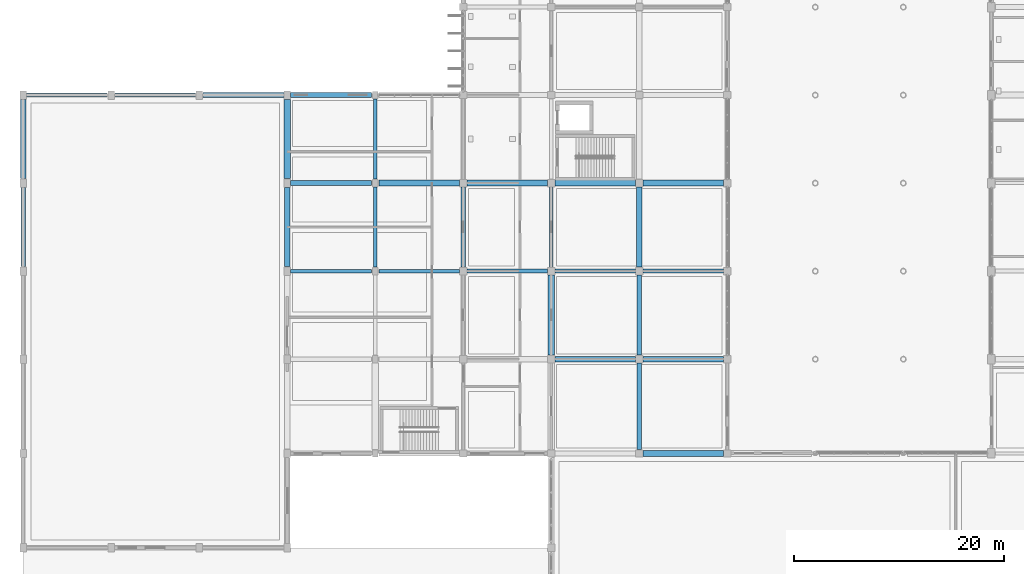
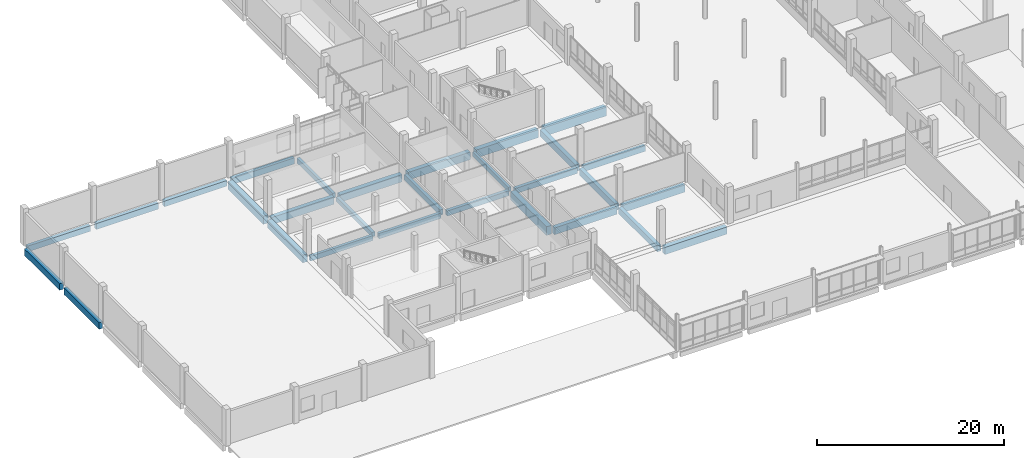
# One storey, part 14 of 95: 29 beams.
"""IFC4 building model written with IfcOpenShell, lengths in metres."""

from ifc_helpers import new_model, si_unit, direction, frame, origin, origin_2d, place, context, subcontext, project, spatial, rectangle, extrude, material, material_profile, profile_set, type_object, element, save


model = new_model("IFC4")

# Units and contexts
model_context = context("Model", 3, precision=1e-05, world=origin(), true_north=direction((0.0, 1.0)))
body_context = subcontext(model_context, "Body", "Model", "MODEL_VIEW")
ifc_project = project(units=[si_unit("LENGTHUNIT", "METRE"), si_unit("AREAUNIT", "SQUARE_METRE"), si_unit("VOLUMEUNIT", "CUBIC_METRE"), si_unit("PLANEANGLEUNIT", "RADIAN"), si_unit("MASSUNIT", "GRAM", prefix="KILO")], contexts=[model_context])

# Site, building, storey
site_placement = place(None, origin())
site = spatial("IfcSite", under=ifc_project, at=site_placement, CompositionType="ELEMENT")
building_placement = place(site_placement, origin())
building = spatial("IfcBuilding", under=site, at=building_placement, Name="Vireocrest Preparatory School", CompositionType="ELEMENT")
storey_placement = place(building_placement, origin())
storey = spatial("IfcBuildingStorey", under=building, at=storey_placement, Name="L00", CompositionType="ELEMENT", Elevation=0.0)

# Beams
ifc_material = material(Name="Concrete 40 MPa", Category="concrete")
ifc_material_profile_1 = material_profile(ifc_material, rectangle(XDim=0.5, YDim=0.949951171875, at=origin_2d()), Name="RC 500x950")
ifc_profile_set_1 = profile_set([ifc_material_profile_1], Name="Concrete 40 MPa")
beam_type_1 = type_object("IfcBeamType", Name="RC Basement Ceiling Girder 500x950", PredefinedType="BEAM", material=ifc_profile_set_1)
beam_1_placement = place(storey_placement, frame((59.175048828125, 27.0, -0.824951171875), z_axis=(1.0, 0.0, 0.0), x_axis=(0.0, 1.0, 0.0)))
element("IfcBeam", 1, at=beam_1_placement, inside=storey, type_object=beam_type_1, Name="Primary Girder B16 L00-0032", PredefinedType="BEAM", context=body_context, shape_type="SweptSolid", body=[
    extrude(rectangle(XDim=0.5, YDim=0.949951171875, at=origin_2d()), origin(), (0.0, 0.0, 1.0), 7.64990234375),
])
beam_2_placement = place(storey_placement, frame((25.52490234375, 43.800048828125, -0.824951171875), z_axis=(1.0, 0.0, 0.0), x_axis=(0.0, 1.0, 0.0)))
element("IfcBeam", 2, at=beam_2_placement, inside=storey, type_object=beam_type_1, Name="Primary Girder B16 L00-0050", PredefinedType="BEAM", context=body_context, shape_type="SweptSolid", body=[
    extrude(rectangle(XDim=0.5, YDim=0.949951171875, at=origin_2d()), origin(), (0.0, 0.0, 1.0), 7.7001953125),
])
ifc_material_profile_2 = material_profile(ifc_material, rectangle(XDim=0.300048828125, YDim=0.60009765625, at=origin_2d()), Name="RC 300x600")
ifc_profile_set_2 = profile_set([ifc_material_profile_2], Name="Concrete 40 MPa")
beam_type_2 = type_object("IfcBeamType", Name="RC Classroom Beam 300x600", PredefinedType="BEAM", material=ifc_profile_set_2)
beam_3_placement = place(storey_placement, frame((50.39990234375, 35.77490234375, -0.64990234375), z_axis=(0.0, 1.0, 0.0), x_axis=(-1.0, 0.0, 0.0)))
element("IfcBeam", 3, at=beam_3_placement, inside=storey, type_object=beam_type_2, Name="Primary Girder B03 L00-0158", PredefinedType="BEAM", context=body_context, shape_type="SweptSolid", body=[
    extrude(rectangle(XDim=0.300048828125, YDim=0.60009765625, at=origin_2d()), origin(), (0.0, 0.0, 1.0), 7.650146484375),
])
ifc_material_profile_3 = material_profile(ifc_material, rectangle(XDim=0.35009765625, YDim=0.60009765625, at=origin_2d()), Name="RC 350x600")
ifc_profile_set_3 = profile_set([ifc_material_profile_3], Name="Concrete 40 MPa")
beam_type_3 = type_object("IfcBeamType", Name="RC Classroom Girder 350x600", PredefinedType="BEAM", material=ifc_profile_set_3)
beam_4_placement = place(storey_placement, frame((33.60009765625, 35.77490234375, -0.64990234375), z_axis=(0.0, 1.0, 0.0), x_axis=(-1.0, 0.0, 0.0)))
element("IfcBeam", 4, at=beam_4_placement, inside=storey, type_object=beam_type_3, Name="Primary Girder B04 L00-0141", PredefinedType="BEAM", context=body_context, shape_type="SweptSolid", body=[
    extrude(rectangle(XDim=0.35009765625, YDim=0.60009765625, at=origin_2d()), origin(), (0.0, 0.0, 1.0), 7.650146484375),
])
ifc_material_profile_4 = material_profile(ifc_material, rectangle(XDim=0.35009765625, YDim=0.64990234375, at=origin_2d()), Name="RC 350x650")
ifc_profile_set_4 = profile_set([ifc_material_profile_4], Name="Concrete 40 MPa")
beam_type_4 = type_object("IfcBeamType", Name="RC Classroom Girder 350x650", PredefinedType="BEAM", material=ifc_profile_set_4)
beam_5_placement = place(storey_placement, frame((25.52490234375, 35.39990234375, -0.675048828125), z_axis=(1.0, 0.0, 0.0), x_axis=(0.0, 1.0, 0.0)))
element("IfcBeam", 5, at=beam_5_placement, inside=storey, type_object=beam_type_4, Name="Primary Girder B05 L00-0039", PredefinedType="BEAM", context=body_context, shape_type="SweptSolid", body=[
    extrude(rectangle(XDim=0.35009765625, YDim=0.64990234375, at=origin_2d()), origin(), (0.0, 0.0, 1.0), 7.7001953125),
])
beam_6_placement = place(storey_placement, frame((33.60009765625, 44.175048828125, -0.675048828125), z_axis=(0.0, 1.0, 0.0), x_axis=(-1.0, 0.0, 0.0)))
element("IfcBeam", 6, at=beam_6_placement, inside=storey, type_object=beam_type_4, Name="Primary Girder B05 L00-0142", PredefinedType="BEAM", context=body_context, shape_type="SweptSolid", body=[
    extrude(rectangle(XDim=0.35009765625, YDim=0.64990234375, at=origin_2d()), origin(), (0.0, 0.0, 1.0), 7.64990234375),
])
ifc_material_profile_5 = material_profile(ifc_material, rectangle(XDim=0.39990234375, YDim=0.75, at=origin_2d()), Name="RC 400x750")
ifc_profile_set_5 = profile_set([ifc_material_profile_5], Name="Concrete 40 MPa")
beam_type_5 = type_object("IfcBeamType", Name="RC Commons Girder 400x750", PredefinedType="BEAM", material=ifc_profile_set_5)
beam_7_placement = place(storey_placement, frame((59.175048828125, 35.39990234375, -0.72509765625), z_axis=(1.0, 0.0, 0.0), x_axis=(0.0, 1.0, 0.0)))
element("IfcBeam", 7, at=beam_7_placement, inside=storey, type_object=beam_type_5, Name="Primary Girder B09 L00-0043", PredefinedType="BEAM", context=body_context, shape_type="SweptSolid", body=[
    extrude(rectangle(XDim=0.39990234375, YDim=0.75, at=origin_2d()), origin(), (0.0, 0.0, 1.0), 7.64990234375),
])
beam_8_placement = place(storey_placement, frame((0.324951171875, 52.199951171875, -0.7548828125), z_axis=(1.0, 0.0, 0.0), x_axis=(0.0, 1.0, 0.0)))
element("IfcBeam", 8, at=beam_8_placement, inside=storey, type_object=beam_type_5, Name="Primary Girder B09 L00-0061", PredefinedType="BEAM", context=body_context, shape_type="SweptSolid", body=[
    extrude(rectangle(XDim=0.39990234375, YDim=0.75, at=origin_2d()), origin(), (0.0, 0.0, 1.0), 7.699951171875),
])
ifc_material_profile_6 = material_profile(ifc_material, rectangle(XDim=0.550048828125, YDim=1.0, at=origin_2d()), Name="RC 550x1000")
ifc_profile_set_6 = profile_set([ifc_material_profile_6], Name="Concrete 40 MPa")
beam_type_6 = type_object("IfcBeamType", Name="RC Core Coupling Beam 550x1000", PredefinedType="BEAM", material=ifc_profile_set_6)
beam_9_placement = place(storey_placement, frame((42.375, 43.800048828125, -0.85009765625), z_axis=(1.0, 0.0, 0.0), x_axis=(0.0, 1.0, 0.0)))
element("IfcBeam", 9, at=beam_9_placement, inside=storey, type_object=beam_type_6, Name="Primary Girder B18 L00-0052", PredefinedType="BEAM", context=body_context, shape_type="SweptSolid", body=[
    extrude(rectangle(XDim=0.550048828125, YDim=1.0, at=origin_2d()), origin(), (0.0, 0.0, 1.0), 7.64990234375),
])
beam_10_placement = place(storey_placement, frame((25.199951171875, 35.824951171875, -0.8798828125), z_axis=(0.0, 1.0, 0.0), x_axis=(-1.0, 0.0, 0.0)))
element("IfcBeam", 10, at=beam_10_placement, inside=storey, type_object=beam_type_6, Name="Primary Girder B18 L00-0137", PredefinedType="BEAM", context=body_context, shape_type="SweptSolid", body=[
    extrude(rectangle(XDim=0.550048828125, YDim=1.0, at=origin_2d()), origin(), (0.0, 0.0, 1.0), 7.550048828125),
])
ifc_material_profile_7 = material_profile(ifc_material, rectangle(XDim=0.39990234375, YDim=0.699951171875, at=origin_2d()), Name="RC 400x700")
ifc_profile_set_7 = profile_set([ifc_material_profile_7], Name="Concrete 40 MPa")
beam_type_7 = type_object("IfcBeamType", Name="RC Corridor Girder 400x700", PredefinedType="BEAM", material=ifc_profile_set_7)
for number, where, z_axis, x_axis, name in (
    (11, (50.77490234375, 35.39990234375, -0.699951171875), (1.0, 0.0, 0.0), (0.0, 1.0, 0.0), "Primary Girder B08 L00-0042"),
    (12, (42.0, 35.77490234375, -0.699951171875), (0.0, 1.0, 0.0), (-1.0, 0.0, 0.0), "Primary Girder B08 L00-0145"),
):
    element("IfcBeam", number, at=place(storey_placement, frame(where, z_axis=z_axis, x_axis=x_axis)), inside=storey, type_object=beam_type_7, Name=name, PredefinedType="BEAM", context=body_context, shape_type="SweptSolid", body=[
        extrude(rectangle(XDim=0.39990234375, YDim=0.699951171875, at=origin_2d()), origin(), (0.0, 0.0, 1.0), 7.650146484375),
    ])
ifc_material_profile_8 = material_profile(ifc_material, rectangle(XDim=0.449951171875, YDim=0.85009765625, at=origin_2d()), Name="RC 450x850")
ifc_profile_set_8 = profile_set([ifc_material_profile_8], Name="Concrete 40 MPa")
beam_type_8 = type_object("IfcBeamType", Name="RC Heavy Floor Girder 450x850", PredefinedType="BEAM", material=ifc_profile_set_8)
beam_11_placement = place(storey_placement, frame((0.0, 35.824951171875, -0.804931640625), z_axis=(0.0, 1.0, 0.0), x_axis=(-1.0, 0.0, 0.0)))
element("IfcBeam", 13, at=beam_11_placement, inside=storey, type_object=beam_type_8, Name="Primary Girder B13 L00-0132", PredefinedType="BEAM", context=body_context, shape_type="SweptSolid", body=[
    extrude(rectangle(XDim=0.449951171875, YDim=0.85009765625, at=origin_2d()), origin(), (0.0, 0.0, 1.0), 7.550048828125),
])
beam_12_placement = place(storey_placement, frame((58.800048828125, 27.375, -0.77490234375), z_axis=(0.0, 1.0, 0.0), x_axis=(-1.0, 0.0, 0.0)))
element("IfcBeam", 14, at=beam_12_placement, inside=storey, type_object=beam_type_8, Name="Primary Girder B13 L00-0168", PredefinedType="BEAM", context=body_context, shape_type="SweptSolid", body=[
    extrude(rectangle(XDim=0.449951171875, YDim=0.85009765625, at=origin_2d()), origin(), (0.0, 0.0, 1.0), 7.64990234375),
])
ifc_material_profile_9 = material_profile(ifc_material, rectangle(XDim=0.60009765625, YDim=1.14990234375, at=origin_2d()), Name="RC 600x1150")
ifc_profile_set_9 = profile_set([ifc_material_profile_9], Name="Concrete 40 MPa")
beam_type_9 = type_object("IfcBeamType", Name="RC Heavy Transfer Girder 600x1150", PredefinedType="BEAM", material=ifc_profile_set_9)
for number, where, z_axis, x_axis, name in (
    (15, (59.175048828125, 43.800048828125, -0.925048828125), (1.0, 0.0, 0.0), (0.0, 1.0, 0.0), "Primary Girder B20 L00-0054"),
    (16, (50.39990234375, 27.375, -0.925048828125), (0.0, 1.0, 0.0), (-1.0, 0.0, 0.0), "Primary Girder B20 L00-0157"),
):
    element("IfcBeam", number, at=place(storey_placement, frame(where, z_axis=z_axis, x_axis=x_axis)), inside=storey, type_object=beam_type_9, Name=name, PredefinedType="BEAM", context=body_context, shape_type="SweptSolid", body=[
        extrude(rectangle(XDim=0.60009765625, YDim=1.14990234375, at=origin_2d()), origin(), (0.0, 0.0, 1.0), 7.64990234375),
    ])
ifc_material_profile_10 = material_profile(ifc_material, rectangle(XDim=0.35009765625, YDim=0.699951171875, at=origin_2d()), Name="RC 350x700")
ifc_profile_set_10 = profile_set([ifc_material_profile_10], Name="Concrete 40 MPa")
beam_type_10 = type_object("IfcBeamType", Name="RC Laboratory Girder 350x700", PredefinedType="BEAM", material=ifc_profile_set_10)
beam_13_placement = place(storey_placement, frame((33.97509765625, 35.39990234375, -0.699951171875), z_axis=(1.0, 0.0, 0.0), x_axis=(0.0, 1.0, 0.0)))
element("IfcBeam", 17, at=beam_13_placement, inside=storey, type_object=beam_type_10, Name="Primary Girder B06 L00-0040", PredefinedType="BEAM", context=body_context, shape_type="SweptSolid", body=[
    extrude(rectangle(XDim=0.35009765625, YDim=0.699951171875, at=origin_2d()), origin(), (0.0, 0.0, 1.0), 7.64990234375),
])
ifc_material_profile_11 = material_profile(ifc_material, rectangle(XDim=0.39990234375, YDim=0.64990234375, at=origin_2d()), Name="RC 400x650")
ifc_profile_set_11 = profile_set([ifc_material_profile_11], Name="Concrete 40 MPa")
beam_type_11 = type_object("IfcBeamType", Name="RC Laboratory Girder 400x650", PredefinedType="BEAM", material=ifc_profile_set_11)
beam_14_placement = place(storey_placement, frame((42.375, 35.39990234375, -0.675048828125), z_axis=(1.0, 0.0, 0.0), x_axis=(0.0, 1.0, 0.0)))
element("IfcBeam", 18, at=beam_14_placement, inside=storey, type_object=beam_type_11, Name="Primary Girder B07 L00-0041", PredefinedType="BEAM", context=body_context, shape_type="SweptSolid", body=[
    extrude(rectangle(XDim=0.39990234375, YDim=0.64990234375, at=origin_2d()), origin(), (0.0, 0.0, 1.0), 7.64990234375),
])
ifc_material_profile_12 = material_profile(ifc_material, rectangle(XDim=0.39990234375, YDim=0.800048828125, at=origin_2d()), Name="RC 400x800")
ifc_profile_set_12 = profile_set([ifc_material_profile_12], Name="Concrete 40 MPa")
beam_type_12 = type_object("IfcBeamType", Name="RC Library Reading Girder 400x800", PredefinedType="BEAM", material=ifc_profile_set_12)
beam_15_placement = place(storey_placement, frame((8.77490234375, 52.199951171875, -0.780029296875), z_axis=(1.0, 0.0, 0.0), x_axis=(0.0, 1.0, 0.0)))
element("IfcBeam", 19, at=beam_15_placement, inside=storey, type_object=beam_type_12, Name="Primary Girder B10 L00-0062", PredefinedType="BEAM", context=body_context, shape_type="SweptSolid", body=[
    extrude(rectangle(XDim=0.39990234375, YDim=0.800048828125, at=origin_2d()), origin(), (0.0, 0.0, 1.0), 7.650146484375),
])
ifc_material_profile_13 = material_profile(ifc_material, rectangle(XDim=0.449951171875, YDim=0.75, at=origin_2d()), Name="RC 450x750")
ifc_profile_set_13 = profile_set([ifc_material_profile_13], Name="Concrete 40 MPa")
beam_type_13 = type_object("IfcBeamType", Name="RC Library Stack Girder 450x750", PredefinedType="BEAM", material=ifc_profile_set_13)
beam_16_placement = place(storey_placement, frame((17.175048828125, 52.199951171875, -0.7548828125), z_axis=(1.0, 0.0, 0.0), x_axis=(0.0, 1.0, 0.0)))
element("IfcBeam", 20, at=beam_16_placement, inside=storey, type_object=beam_type_13, Name="Primary Girder B11 L00-0063", PredefinedType="BEAM", context=body_context, shape_type="SweptSolid", body=[
    extrude(rectangle(XDim=0.449951171875, YDim=0.75, at=origin_2d()), origin(), (0.0, 0.0, 1.0), 7.699951171875),
])
ifc_material_profile_14 = material_profile(ifc_material, rectangle(XDim=0.449951171875, YDim=0.800048828125, at=origin_2d()), Name="RC 450x800")
ifc_profile_set_14 = profile_set([ifc_material_profile_14], Name="Concrete 40 MPa")
beam_type_14 = type_object("IfcBeamType", Name="RC Library Stack Girder 450x800", PredefinedType="BEAM", material=ifc_profile_set_14)
beam_17_placement = place(storey_placement, frame((25.52490234375, 52.199951171875, -0.75), z_axis=(1.0, 0.0, 0.0), x_axis=(0.0, 1.0, 0.0)))
element("IfcBeam", 21, at=beam_17_placement, inside=storey, type_object=beam_type_14, Name="Primary Girder B12 L00-0064", PredefinedType="BEAM", context=body_context, shape_type="SweptSolid", body=[
    extrude(rectangle(XDim=0.449951171875, YDim=0.800048828125, at=origin_2d()), origin(), (0.0, 0.0, 1.0), 7.7001953125),
])
beam_18_placement = place(storey_placement, frame((58.800048828125, 18.375, -0.75), z_axis=(0.0, 1.0, 0.0), x_axis=(-1.0, 0.0, 0.0)))
element("IfcBeam", 22, at=beam_18_placement, inside=storey, type_object=beam_type_14, Name="Primary Girder B12 L00-0167", PredefinedType="BEAM", context=body_context, shape_type="SweptSolid", body=[
    extrude(rectangle(XDim=0.449951171875, YDim=0.800048828125, at=origin_2d()), origin(), (0.0, 0.0, 1.0), 8.25),
])
ifc_material_profile_15 = material_profile(ifc_material, rectangle(XDim=0.5, YDim=0.85009765625, at=origin_2d()), Name="RC 500x850")
ifc_profile_set_15 = profile_set([ifc_material_profile_15], Name="Concrete 40 MPa")
beam_type_15 = type_object("IfcBeamType", Name="RC Podium Girder 500x850", PredefinedType="BEAM", material=ifc_profile_set_15)
beam_19_placement = place(storey_placement, frame((0.0, 44.22509765625, -0.804931640625), z_axis=(0.0, 1.0, 0.0), x_axis=(-1.0, 0.0, 0.0)))
element("IfcBeam", 23, at=beam_19_placement, inside=storey, type_object=beam_type_15, Name="Primary Girder B14 L00-0133", PredefinedType="BEAM", context=body_context, shape_type="SweptSolid", body=[
    extrude(rectangle(XDim=0.5, YDim=0.85009765625, at=origin_2d()), origin(), (0.0, 0.0, 1.0), 7.5498046875),
])
beam_20_placement = place(storey_placement, frame((58.800048828125, 35.77490234375, -0.77490234375), z_axis=(0.0, 1.0, 0.0), x_axis=(-1.0, 0.0, 0.0)))
element("IfcBeam", 24, at=beam_20_placement, inside=storey, type_object=beam_type_15, Name="Primary Girder B14 L00-0169", PredefinedType="BEAM", context=body_context, shape_type="SweptSolid", body=[
    extrude(rectangle(XDim=0.5, YDim=0.85009765625, at=origin_2d()), origin(), (0.0, 0.0, 1.0), 7.650146484375),
])
ifc_material_profile_16 = material_profile(ifc_material, rectangle(XDim=0.5, YDim=0.89990234375, at=origin_2d()), Name="RC 500x900")
ifc_profile_set_16 = profile_set([ifc_material_profile_16], Name="Concrete 40 MPa")
beam_type_16 = type_object("IfcBeamType", Name="RC Podium Girder 500x900", PredefinedType="BEAM", material=ifc_profile_set_16)
beam_21_placement = place(storey_placement, frame((50.77490234375, 27.0, -0.800048828125), z_axis=(1.0, 0.0, 0.0), x_axis=(0.0, 1.0, 0.0)))
element("IfcBeam", 25, at=beam_21_placement, inside=storey, type_object=beam_type_16, Name="Primary Girder B15 L00-0031", PredefinedType="BEAM", context=body_context, shape_type="SweptSolid", body=[
    extrude(rectangle(XDim=0.5, YDim=0.89990234375, at=origin_2d()), origin(), (0.0, 0.0, 1.0), 7.650146484375),
])
ifc_material_profile_17 = material_profile(ifc_material, rectangle(XDim=0.550048828125, YDim=0.949951171875, at=origin_2d()), Name="RC 550x950")
ifc_profile_set_17 = profile_set([ifc_material_profile_17], Name="Concrete 40 MPa")
beam_type_17 = type_object("IfcBeamType", Name="RC Setback Edge Girder 550x950", PredefinedType="BEAM", material=ifc_profile_set_17)
for number, where, z_axis, x_axis, name in (
    (26, (59.175048828125, 18.0, -0.824951171875), (1.0, 0.0, 0.0), (0.0, 1.0, 0.0), "Primary Girder B17 L00-0015"),
    (27, (33.97509765625, 43.800048828125, -0.824951171875), (1.0, 0.0, 0.0), (0.0, 1.0, 0.0), "Primary Girder B17 L00-0051"),
):
    element("IfcBeam", number, at=place(storey_placement, frame(where, z_axis=z_axis, x_axis=x_axis)), inside=storey, type_object=beam_type_17, Name=name, PredefinedType="BEAM", context=body_context, shape_type="SweptSolid", body=[
        extrude(rectangle(XDim=0.550048828125, YDim=0.949951171875, at=origin_2d()), origin(), (0.0, 0.0, 1.0), 7.64990234375),
    ])
ifc_material_profile_18 = material_profile(ifc_material, rectangle(XDim=0.60009765625, YDim=1.050048828125, at=origin_2d()), Name="RC 600x1050")
ifc_profile_set_18 = profile_set([ifc_material_profile_18], Name="Concrete 40 MPa")
beam_type_18 = type_object("IfcBeamType", Name="RC Transfer Girder 600x1050", PredefinedType="BEAM", material=ifc_profile_set_18)
beam_22_placement = place(storey_placement, frame((50.77490234375, 43.800048828125, -0.875), z_axis=(1.0, 0.0, 0.0), x_axis=(0.0, 1.0, 0.0)))
element("IfcBeam", 28, at=beam_22_placement, inside=storey, type_object=beam_type_18, Name="Primary Girder B19 L00-0053", PredefinedType="BEAM", context=body_context, shape_type="SweptSolid", body=[
    extrude(rectangle(XDim=0.60009765625, YDim=1.050048828125, at=origin_2d()), origin(), (0.0, 0.0, 1.0), 7.650146484375),
])
beam_23_placement = place(storey_placement, frame((25.199951171875, 44.22509765625, -0.905029296875), z_axis=(0.0, 1.0, 0.0), x_axis=(-1.0, 0.0, 0.0)))
element("IfcBeam", 29, at=beam_23_placement, inside=storey, type_object=beam_type_18, Name="Primary Girder B19 L00-0138", PredefinedType="BEAM", context=body_context, shape_type="SweptSolid", body=[
    extrude(rectangle(XDim=0.60009765625, YDim=1.050048828125, at=origin_2d()), origin(), (0.0, 0.0, 1.0), 7.5498046875),
])

save(model, "model.ifc")
